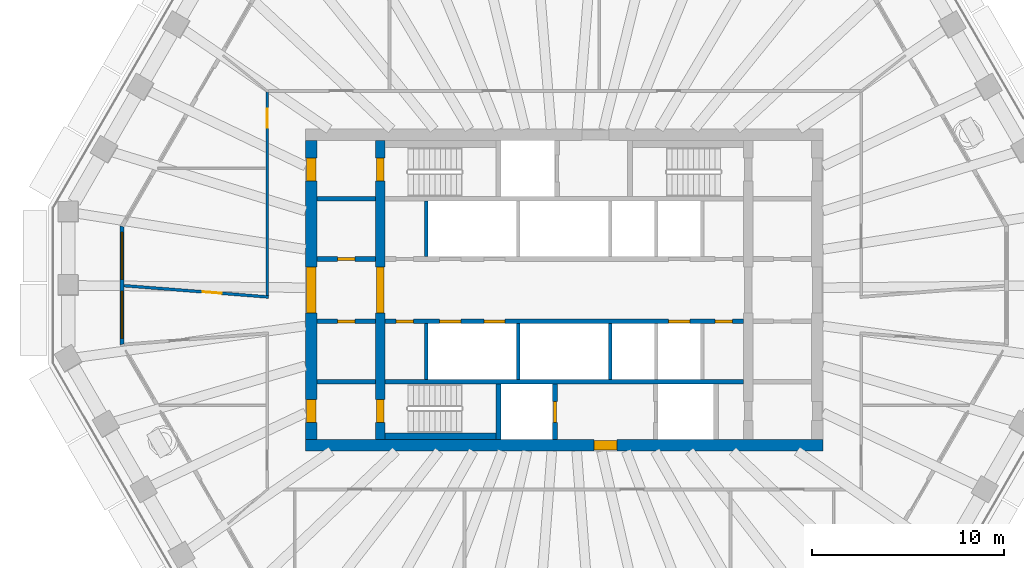
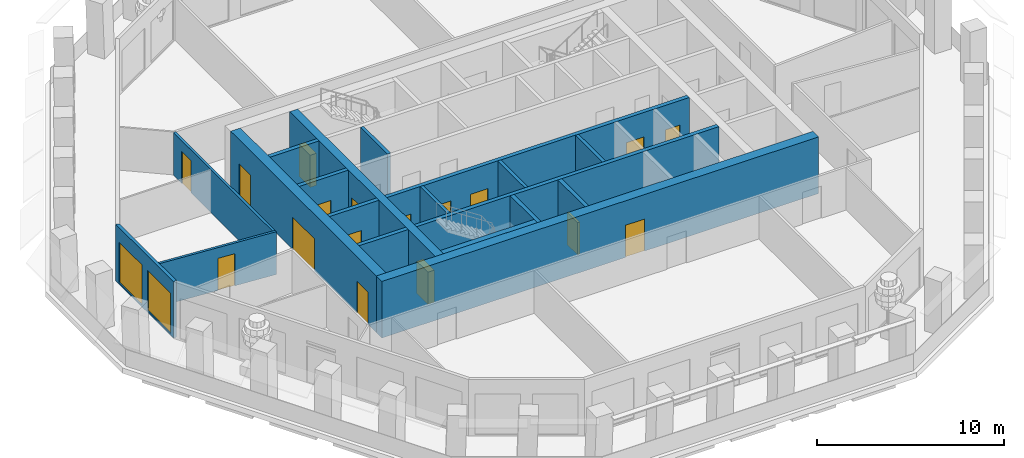
# One storey, part 4 of 12: 19 walls, 17 doors, 2 windows, 19 openings.
"""IFC4 building model written with IfcOpenShell, lengths in metres."""

from ifc_helpers import new_model, si_unit, direction, frame, frame_2d, origin, place, context, subcontext, project, spatial, polyline, rectangle, outline, extrude, material, layer, layer_set, type_object, element, fill, save


model = new_model("IFC4")

# Units and contexts
model_context = context("Model", 3, precision=1e-05, world=origin(), true_north=direction((0.0, 1.0)))
body_context = subcontext(model_context, "Body", "Model", "MODEL_VIEW")
ifc_project = project(units=[si_unit("LENGTHUNIT", "METRE"), si_unit("AREAUNIT", "SQUARE_METRE"), si_unit("VOLUMEUNIT", "CUBIC_METRE"), si_unit("PLANEANGLEUNIT", "RADIAN"), si_unit("MASSUNIT", "GRAM", prefix="KILO")], contexts=[model_context])

# Site, building, storey
site_placement = place(None, origin())
site = spatial("IfcSite", under=ifc_project, at=site_placement, CompositionType="ELEMENT")
building_placement = place(site_placement, origin())
building = spatial("IfcBuilding", under=site, at=building_placement, Name="Frailejon Research Tower", CompositionType="ELEMENT")
storey_placement = place(building_placement, frame((0.0, 0.0, 219.39990234375)))
storey = spatial("IfcBuildingStorey", under=building, at=storey_placement, Name="L47", CompositionType="ELEMENT", Elevation=219.39990234375)

# Wall, openings, doors
ifc_material_1 = material(Name="Concrete C60/75", Category="concrete")
ifc_layer_1 = layer(ifc_material_1, 0.5)
ifc_layer_set_1 = layer_set([ifc_layer_1], Name="Core shear wall 500 C60/75")
wall_type_1 = type_object("IfcWallType", Name="Core shear wall 500 C60/75", PredefinedType="SHEAR", material=ifc_layer_set_1)
wall_1_placement = place(storey_placement, frame((-9.60009765625, -7.800048828125, 0.0), z_axis=(0.0, 0.0, 1.0), x_axis=(0.0, 1.0, 0.0)))
wall_1 = element("IfcWall", 1, at=wall_1_placement, inside=storey, type_object=wall_type_1, Name="Core shear wall", PredefinedType="SHEAR", context=body_context, shape_type="SweptSolid", body=[
    extrude(rectangle(XDim=15.60009765625, YDim=0.5, at=frame_2d((7.800048828125, 0.0))), origin(), (0.0, 0.0, 1.0), 3.7001953125),
])
opening_1_placement = place(wall_1_placement, frame((6.60009765625, 0.0, 0.0)))
opening_1 = element("IfcOpeningElement", 2, at=opening_1_placement, cuts=wall_1, Name="Opening D2", PredefinedType="OPENING", context=body_context, shape_type="SweptSolid", body=[
    extrude(rectangle(XDim=2.39990234375, YDim=2.10009765625, at=frame_2d((1.199951171875, 1.050048828125))), frame((0.0, 0.260009765625, 0.0), z_axis=(0.0, -1.0, 0.0), x_axis=(1.0, 0.0, 0.0)), (0.0, 0.0, 1.0), 0.52001953125),
])
opening_2_placement = place(wall_1_placement, frame((13.5, 0.0, 0.0)))
opening_2 = element("IfcOpeningElement", 3, at=opening_2_placement, cuts=wall_1, Name="Opening D1", PredefinedType="OPENING", context=body_context, shape_type="SweptSolid", body=[
    extrude(rectangle(XDim=1.199951171875, YDim=2.10009765625, at=frame_2d((0.60009765625, 1.050048828125))), frame((0.0, 0.260009765625, 0.0), z_axis=(0.0, -1.0, 0.0), x_axis=(1.0, 0.0, 0.0)), (0.0, 0.0, 1.0), 0.52001953125),
])
opening_3_placement = place(wall_1_placement, frame((0.89990234375, 0.0, 0.0)))
opening_3 = element("IfcOpeningElement", 4, at=opening_3_placement, cuts=wall_1, Name="Opening D1", PredefinedType="OPENING", context=body_context, shape_type="SweptSolid", body=[
    extrude(rectangle(XDim=1.199951171875, YDim=2.10009765625, at=frame_2d((0.60009765625, 1.050048828125))), frame((0.0, 0.260009765625, 0.0), z_axis=(0.0, -1.0, 0.0), x_axis=(1.0, 0.0, 0.0)), (0.0, 0.0, 1.0), 0.52001953125),
])
ifc_material_2 = material(Name="Steel", Category="steel")
door_type_1 = type_object("IfcDoorType", Name="Lobby double door", OperationType="DOUBLE_DOOR_SINGLE_SWING", PredefinedType="DOOR", material=ifc_material_2)
door_1_placement = place(opening_1_placement, origin())
door_1 = element("IfcDoor", 5, at=door_1_placement, inside=storey, type_object=door_type_1, Name="Lobby door", OperationType="DOUBLE_DOOR_SINGLE_SWING", OverallHeight=2.10009765625, OverallWidth=2.39990234375, PredefinedType="DOOR", context=body_context, shape_type="SweptSolid", body=[
    extrude(rectangle(XDim=2.39990234375, YDim=2.10009765625, at=frame_2d((1.199951171875, 1.050048828125))), frame((0.0, 0.199951171875, 0.0), z_axis=(0.0, -1.0, 0.0), x_axis=(1.0, 0.0, 0.0)), (0.0, 0.0, 1.0), 0.39990234375),
])
fill(opening_1, door_1)
ifc_material_3 = material(Name="Steel", Category="steel")
door_type_2 = type_object("IfcDoorType", Name="Stair door", OperationType="SINGLE_SWING_LEFT", PredefinedType="DOOR", material=ifc_material_3)
door_2_placement = place(opening_2_placement, origin())
door_2 = element("IfcDoor", 6, at=door_2_placement, inside=storey, type_object=door_type_2, Name="Stair door ST1", OperationType="SINGLE_SWING_RIGHT", OverallHeight=2.10009765625, OverallWidth=1.199951171875, PredefinedType="DOOR", context=body_context, shape_type="SweptSolid", body=[
    extrude(rectangle(XDim=1.199951171875, YDim=2.10009765625, at=frame_2d((0.60009765625, 1.050048828125))), frame((0.0, 0.199951171875, 0.0), z_axis=(0.0, -1.0, 0.0), x_axis=(1.0, 0.0, 0.0)), (0.0, 0.0, 1.0), 0.39990234375),
])
fill(opening_2, door_2)
door_3_placement = place(opening_3_placement, origin())
door_3 = element("IfcDoor", 7, at=door_3_placement, inside=storey, type_object=door_type_2, Name="Stair door ST2", OperationType="SINGLE_SWING_RIGHT", OverallHeight=2.10009765625, OverallWidth=1.199951171875, PredefinedType="DOOR", context=body_context, shape_type="SweptSolid", body=[
    extrude(rectangle(XDim=1.199951171875, YDim=2.10009765625, at=frame_2d((0.60009765625, 1.050048828125))), frame((0.0, 0.199951171875, 0.0), z_axis=(0.0, -1.0, 0.0), x_axis=(1.0, 0.0, 0.0)), (0.0, 0.0, 1.0), 0.39990234375),
])
fill(opening_3, door_3)

# Wall, opening, door
ifc_material_4 = material(Name="Concrete C60/75", Category="concrete")
ifc_layer_2 = layer(ifc_material_4, 0.60009765625)
ifc_layer_set_2 = layer_set([ifc_layer_2], Name="Core shear wall 600 C60/75")
wall_type_2 = type_object("IfcWallType", Name="Core shear wall 600 C60/75", PredefinedType="SHEAR", material=ifc_layer_set_2)
wall_2_placement = place(storey_placement, frame((-13.5, -8.10009765625, 0.0), z_axis=(0.0, 0.0, 1.0), x_axis=(1.0, 0.0, 0.0)))
wall_2 = element("IfcWall", 8, at=wall_2_placement, inside=storey, type_object=wall_type_2, Name="Core shear wall", PredefinedType="SHEAR", context=body_context, shape_type="SweptSolid", body=[
    extrude(rectangle(XDim=27.0, YDim=0.60009765625, at=frame_2d((13.5, 0.0))), origin(), (0.0, 0.0, 1.0), 3.7001953125),
])
opening_4_placement = place(wall_2_placement, frame((15.050048828125, 0.0, 0.0)))
opening_4 = element("IfcOpeningElement", 9, at=opening_4_placement, cuts=wall_2, Name="Opening D3", PredefinedType="OPENING", context=body_context, shape_type="SweptSolid", body=[
    extrude(rectangle(XDim=1.199951171875, YDim=2.10009765625, at=frame_2d((0.60009765625, 1.050048828125))), frame((0.0, 0.31005859375, 0.0), z_axis=(0.0, -1.0, 0.0), x_axis=(1.0, 0.0, 0.0)), (0.0, 0.0, 1.0), 0.6201171875),
])
ifc_material_5 = material(Name="Steel", Category="steel")
door_type_3 = type_object("IfcDoorType", Name="Firefighting lobby door", OperationType="SINGLE_SWING_LEFT", PredefinedType="DOOR", material=ifc_material_5)
door_4_placement = place(opening_4_placement, origin())
door_4 = element("IfcDoor", 10, at=door_4_placement, inside=storey, type_object=door_type_3, Name="Firefighting lobby door", OperationType="SINGLE_SWING_RIGHT", OverallHeight=2.10009765625, OverallWidth=1.199951171875, PredefinedType="DOOR", context=body_context, shape_type="SweptSolid", body=[
    extrude(rectangle(XDim=1.199951171875, YDim=2.10009765625, at=frame_2d((0.60009765625, 1.050048828125))), frame((0.0, 0.25, 0.0), z_axis=(0.0, -1.0, 0.0), x_axis=(1.0, 0.0, 0.0)), (0.0, 0.0, 1.0), 0.5),
])
fill(opening_4, door_4)

# Wall, openings, doors
wall_3_placement = place(storey_placement, frame((-13.199951171875, -7.800048828125, 0.0), z_axis=(0.0, 0.0, 1.0), x_axis=(0.0, 1.0, 0.0)))
wall_3 = element("IfcWall", 11, at=wall_3_placement, inside=storey, type_object=wall_type_2, Name="Core shear wall", PredefinedType="SHEAR", context=body_context, shape_type="SweptSolid", body=[
    extrude(rectangle(XDim=15.60009765625, YDim=0.60009765625, at=frame_2d((7.800048828125, 0.0))), origin(), (0.0, 0.0, 1.0), 3.7001953125),
])
opening_5_placement = place(wall_3_placement, frame((6.60009765625, 0.0, 0.0)))
opening_5 = element("IfcOpeningElement", 12, at=opening_5_placement, cuts=wall_3, Name="Opening D2", PredefinedType="OPENING", context=body_context, shape_type="SweptSolid", body=[
    extrude(rectangle(XDim=2.39990234375, YDim=2.10009765625, at=frame_2d((1.199951171875, 1.050048828125))), frame((0.0, 0.31005859375, 0.0), z_axis=(0.0, -1.0, 0.0), x_axis=(1.0, 0.0, 0.0)), (0.0, 0.0, 1.0), 0.6201171875),
])
opening_6_placement = place(wall_3_placement, frame((13.5, 0.0, 0.0)))
opening_6 = element("IfcOpeningElement", 13, at=opening_6_placement, cuts=wall_3, Name="Opening D7", PredefinedType="OPENING", context=body_context, shape_type="SweptSolid", body=[
    extrude(rectangle(XDim=1.199951171875, YDim=2.10009765625, at=frame_2d((0.60009765625, 1.050048828125))), frame((0.0, 0.31005859375, 0.0), z_axis=(0.0, -1.0, 0.0), x_axis=(1.0, 0.0, 0.0)), (0.0, 0.0, 1.0), 0.6201171875),
])
opening_7_placement = place(wall_3_placement, frame((0.89990234375, 0.0, 0.0)))
opening_7 = element("IfcOpeningElement", 14, at=opening_7_placement, cuts=wall_3, Name="Opening D7", PredefinedType="OPENING", context=body_context, shape_type="SweptSolid", body=[
    extrude(rectangle(XDim=1.199951171875, YDim=2.10009765625, at=frame_2d((0.60009765625, 1.050048828125))), frame((0.0, 0.31005859375, 0.0), z_axis=(0.0, -1.0, 0.0), x_axis=(1.0, 0.0, 0.0)), (0.0, 0.0, 1.0), 0.6201171875),
])
door_5_placement = place(opening_5_placement, origin())
door_5 = element("IfcDoor", 15, at=door_5_placement, inside=storey, type_object=door_type_1, Name="Lobby door", OperationType="DOUBLE_DOOR_SINGLE_SWING", OverallHeight=2.10009765625, OverallWidth=2.39990234375, PredefinedType="DOOR", context=body_context, shape_type="SweptSolid", body=[
    extrude(rectangle(XDim=2.39990234375, YDim=2.10009765625, at=frame_2d((1.199951171875, 1.050048828125))), frame((0.0, 0.25, 0.0), z_axis=(0.0, -1.0, 0.0), x_axis=(1.0, 0.0, 0.0)), (0.0, 0.0, 1.0), 0.5),
])
fill(opening_5, door_5)
ifc_material_6 = material(Name="Steel", Category="steel")
door_type_4 = type_object("IfcDoorType", Name="Stair exit door", OperationType="SINGLE_SWING_LEFT", PredefinedType="DOOR", material=ifc_material_6)
door_6_placement = place(opening_6_placement, origin())
door_6 = element("IfcDoor", 16, at=door_6_placement, inside=storey, type_object=door_type_4, Name="Stair exit door ST1", OperationType="SINGLE_SWING_LEFT", OverallHeight=2.10009765625, OverallWidth=1.199951171875, PredefinedType="DOOR", context=body_context, shape_type="SweptSolid", body=[
    extrude(rectangle(XDim=1.199951171875, YDim=2.10009765625, at=frame_2d((0.60009765625, 1.050048828125))), frame((0.0, 0.25, 0.0), z_axis=(0.0, -1.0, 0.0), x_axis=(1.0, 0.0, 0.0)), (0.0, 0.0, 1.0), 0.5),
])
fill(opening_6, door_6)
door_7_placement = place(opening_7_placement, origin())
door_7 = element("IfcDoor", 17, at=door_7_placement, inside=storey, type_object=door_type_4, Name="Stair exit door ST2", OperationType="SINGLE_SWING_LEFT", OverallHeight=2.10009765625, OverallWidth=1.199951171875, PredefinedType="DOOR", context=body_context, shape_type="SweptSolid", body=[
    extrude(rectangle(XDim=1.199951171875, YDim=2.10009765625, at=frame_2d((0.60009765625, 1.050048828125))), frame((0.0, 0.25, 0.0), z_axis=(0.0, -1.0, 0.0), x_axis=(1.0, 0.0, 0.0)), (0.0, 0.0, 1.0), 0.5),
])
fill(opening_7, door_7)

# Wall, opening, door
ifc_material_7 = material(Name="Gypsum board and masonry partition", Category="masonry")
ifc_layer_3 = layer(ifc_material_7, 0.14990234375)
ifc_layer_set_3 = layer_set([ifc_layer_3], Name="Corridor wall EI 60, gypsum on steel studs 150")
wall_type_3 = type_object("IfcWallType", Name="Corridor wall EI 60, gypsum on steel studs 150", PredefinedType="PARTITIONING", material=ifc_layer_set_3)
wall_4_placement = place(storey_placement, frame((-15.5, -0.275146484375, 0.0), z_axis=(0.0, 0.0, 1.0), x_axis=(0.0, 1.0, 0.0)))
wall_4 = element("IfcWall", 18, at=wall_4_placement, inside=storey, type_object=wall_type_3, Name="T:IW:L47:005", PredefinedType="PARTITIONING", context=body_context, shape_type="SweptSolid", body=[
    extrude(rectangle(XDim=10.625244140625, YDim=0.14990234375, at=frame_2d((5.3125, 0.0))), origin(), (0.0, 0.0, 1.0), 2.800048828125),
])
opening_8_placement = place(wall_4_placement, frame((8.740966796875, 0.0, 0.0)))
opening_8 = element("IfcOpeningElement", 19, at=opening_8_placement, cuts=wall_4, Name="Opening D1966", PredefinedType="OPENING", context=body_context, shape_type="SweptSolid", body=[
    extrude(rectangle(XDim=1.0, YDim=2.10009765625, at=frame_2d((0.5, 1.050048828125))), frame((0.0, 0.0849609375, 0.0), z_axis=(0.0, -1.0, 0.0), x_axis=(1.0, 0.0, 0.0)), (0.0, 0.0, 1.0), 0.169921875),
])
ifc_material_8 = material(Name="Timber door leaf", Category="wood")
door_type_5 = type_object("IfcDoorType", Name="Door single leaf, timber, steel frame 1000", OperationType="NOTDEFINED", PredefinedType="DOOR", material=ifc_material_8)
door_8_placement = place(opening_8_placement, origin())
door_8 = element("IfcDoor", 20, at=door_8_placement, inside=storey, type_object=door_type_5, Name="D1966", OperationType="SINGLE_SWING_RIGHT", OverallHeight=2.10009765625, OverallWidth=1.0, PredefinedType="DOOR", context=body_context, shape_type="SweptSolid", body=[
    extrude(rectangle(XDim=1.0, YDim=2.10009765625, at=frame_2d((0.5, 1.050048828125))), frame((0.0, 0.02490234375, 0.0), z_axis=(0.0, -1.0, 0.0), x_axis=(1.0, 0.0, 0.0)), (0.0, 0.0, 1.0), 0.050048828125),
])
fill(opening_8, door_8)

wall_5_placement = place(storey_placement, frame((-22.9794921875, 0.235595703125, 0.0), z_axis=(0.0, 0.0, 1.0), x_axis=(0.996945465272, -0.078100827607, 0.0)))
wall_5 = element("IfcWall", 21, at=wall_5_placement, inside=storey, type_object=wall_type_3, Name="T:IW:L47:007", PredefinedType="PARTITIONING", context=body_context, shape_type="SweptSolid", body=[
    extrude(rectangle(XDim=7.577392578125, YDim=0.14990234375, at=frame_2d((3.78857421875, 0.0))), origin(), (0.0, 0.0, 1.0), 2.800048828125),
])
opening_9_placement = place(wall_5_placement, frame((4.12158203125, 0.0, 0.0)))
opening_9 = element("IfcOpeningElement", 22, at=opening_9_placement, cuts=wall_5, Name="Opening D1967", PredefinedType="OPENING", context=body_context, shape_type="SweptSolid", body=[
    extrude(rectangle(XDim=1.0, YDim=2.10009765625, at=frame_2d((0.5, 1.050048828125))), frame((0.0, 0.0849609375, 0.0), z_axis=(0.0, -1.0, 0.0), x_axis=(1.0, 0.0, 0.0)), (0.0, 0.0, 1.0), 0.169921875),
])
door_9_placement = place(opening_9_placement, origin())
door_9 = element("IfcDoor", 23, at=door_9_placement, inside=storey, type_object=door_type_5, Name="D1967", OperationType="SINGLE_SWING_RIGHT", OverallHeight=2.10009765625, OverallWidth=1.0, PredefinedType="DOOR", context=body_context, shape_type="SweptSolid", body=[
    extrude(rectangle(XDim=1.0, YDim=2.10009765625, at=frame_2d((0.5, 1.050048828125))), frame((0.0, 0.02490234375, 0.0), z_axis=(0.0, -1.0, 0.0), x_axis=(1.0, 0.0, 0.0)), (0.0, 0.0, 1.0), 0.050048828125),
])
fill(opening_9, door_9)

# Walls
ifc_material_9 = material(Name="Concrete C60/75", Category="concrete")
ifc_layer_4 = layer(ifc_material_9, 0.199951171875)
ifc_layer_set_4 = layer_set([ifc_layer_4], Name="Shaft wall 200 C60/75")
wall_type_4 = type_object("IfcWallType", Name="Shaft wall 200 C60/75", PredefinedType="SOLIDWALL", material=ifc_layer_set_4)
for number, where, z_axis, x_axis, name in (
    (24, (-7.199951171875, 1.75, 0.0), (0.0, 0.0, 1.0), (0.0, 1.0, 0.0), "Shaft wall"),
    (25, (-7.199951171875, -4.64990234375, 0.0), (0.0, 0.0, 1.0), (0.0, 1.0, 0.0), "Shaft wall"),
    (26, (-2.39990234375, -4.64990234375, 0.0), (0.0, 0.0, 1.0), (0.0, 1.0, 0.0), "Shaft wall"),
    (27, (2.39990234375, -4.64990234375, 0.0), (0.0, 0.0, 1.0), (0.0, 1.0, 0.0), "Shaft wall"),
):
    element("IfcWall", number, at=place(storey_placement, frame(where, z_axis=z_axis, x_axis=x_axis)), inside=storey, type_object=wall_type_4, Name=name, PredefinedType="SOLIDWALL", context=body_context, shape_type="SweptSolid", body=[
        extrude(rectangle(XDim=2.89990234375, YDim=0.199951171875, at=frame_2d((1.449951171875, 0.0))), origin(), (0.0, 0.0, 1.0), 3.7001953125),
    ])

# Wall, opening, door
ifc_material_10 = material(Name="Concrete C60/75", Category="concrete")
ifc_layer_5 = layer(ifc_material_10, 0.25)
ifc_layer_set_5 = layer_set([ifc_layer_5], Name="Shaft wall 250 C60/75")
wall_type_5 = type_object("IfcWallType", Name="Shaft wall 250 C60/75", PredefinedType="SOLIDWALL", material=ifc_layer_set_5)
wall_6_placement = place(storey_placement, frame((-12.89990234375, 1.625, 0.0), z_axis=(0.0, 0.0, 1.0), x_axis=(1.0, 0.0, 0.0)))
wall_6 = element("IfcWall", 28, at=wall_6_placement, inside=storey, type_object=wall_type_5, Name="Shaft wall", PredefinedType="SOLIDWALL", context=body_context, shape_type="SweptSolid", body=[
    extrude(rectangle(XDim=3.0498046875, YDim=0.25, at=frame_2d((1.52490234375, 0.0))), origin(), (0.0, 0.0, 1.0), 3.7001953125),
])
opening_10_placement = place(wall_6_placement, frame((1.074951171875, 0.0, 0.0)))
opening_10 = element("IfcOpeningElement", 29, at=opening_10_placement, cuts=wall_6, Name="Opening D8", PredefinedType="OPENING", context=body_context, shape_type="SweptSolid", body=[
    extrude(rectangle(XDim=0.89990234375, YDim=2.10009765625, at=frame_2d((0.449951171875, 1.050048828125))), frame((0.0, 0.135009765625, 0.0), z_axis=(0.0, -1.0, 0.0), x_axis=(1.0, 0.0, 0.0)), (0.0, 0.0, 1.0), 0.27001953125),
])
ifc_material_11 = material(Name="Steel", Category="steel")
door_type_6 = type_object("IfcDoorType", Name="Core room door", OperationType="SINGLE_SWING_LEFT", PredefinedType="DOOR", material=ifc_material_11)
door_10_placement = place(opening_10_placement, origin())
door_10 = element("IfcDoor", 30, at=door_10_placement, inside=storey, type_object=door_type_6, Name="Room door", OperationType="SINGLE_SWING_RIGHT", OverallHeight=2.10009765625, OverallWidth=0.89990234375, PredefinedType="DOOR", context=body_context, shape_type="SweptSolid", body=[
    extrude(rectangle(XDim=0.89990234375, YDim=2.10009765625, at=frame_2d((0.449951171875, 1.050048828125))), frame((0.0, 0.074951171875, 0.0), z_axis=(0.0, -1.0, 0.0), x_axis=(1.0, 0.0, 0.0)), (0.0, 0.0, 1.0), 0.14990234375),
])
fill(opening_10, door_10)

# Wall
wall_7_placement = place(storey_placement, frame((-12.89990234375, 4.77490234375, 0.0), z_axis=(0.0, 0.0, 1.0), x_axis=(1.0, 0.0, 0.0)))
element("IfcWall", 31, at=wall_7_placement, inside=storey, type_object=wall_type_5, Name="Shaft wall", PredefinedType="SOLIDWALL", context=body_context, shape_type="SweptSolid", body=[
    extrude(rectangle(XDim=3.0498046875, YDim=0.25, at=frame_2d((1.52490234375, 0.0))), origin(), (0.0, 0.0, 1.0), 3.7001953125),
])

# Wall, opening, door
wall_8_placement = place(storey_placement, frame((-12.89990234375, -1.625, 0.0), z_axis=(0.0, 0.0, 1.0), x_axis=(1.0, 0.0, 0.0)))
wall_8 = element("IfcWall", 32, at=wall_8_placement, inside=storey, type_object=wall_type_5, Name="Shaft wall", PredefinedType="SOLIDWALL", context=body_context, shape_type="SweptSolid", body=[
    extrude(rectangle(XDim=3.0498046875, YDim=0.25, at=frame_2d((1.52490234375, 0.0))), origin(), (0.0, 0.0, 1.0), 3.7001953125),
])
opening_11_placement = place(wall_8_placement, frame((1.074951171875, 0.0, 0.0)))
opening_11 = element("IfcOpeningElement", 33, at=opening_11_placement, cuts=wall_8, Name="Opening D8", PredefinedType="OPENING", context=body_context, shape_type="SweptSolid", body=[
    extrude(rectangle(XDim=0.89990234375, YDim=2.10009765625, at=frame_2d((0.449951171875, 1.050048828125))), frame((0.0, 0.135009765625, 0.0), z_axis=(0.0, -1.0, 0.0), x_axis=(1.0, 0.0, 0.0)), (0.0, 0.0, 1.0), 0.27001953125),
])
door_11_placement = place(opening_11_placement, origin())
door_11 = element("IfcDoor", 34, at=door_11_placement, inside=storey, type_object=door_type_6, Name="Room door", OperationType="SINGLE_SWING_RIGHT", OverallHeight=2.10009765625, OverallWidth=0.89990234375, PredefinedType="DOOR", context=body_context, shape_type="SweptSolid", body=[
    extrude(rectangle(XDim=0.89990234375, YDim=2.10009765625, at=frame_2d((0.449951171875, 1.050048828125))), frame((0.0, 0.074951171875, 0.0), z_axis=(0.0, -1.0, 0.0), x_axis=(1.0, 0.0, 0.0)), (0.0, 0.0, 1.0), 0.14990234375),
])
fill(opening_11, door_11)

# Wall, openings, doors
wall_9_placement = place(storey_placement, frame((-9.35009765625, -1.625, 0.0), z_axis=(0.0, 0.0, 1.0), x_axis=(1.0, 0.0, 0.0)))
wall_9 = element("IfcWall", 35, at=wall_9_placement, inside=storey, type_object=wall_type_5, Name="Shaft wall", PredefinedType="SOLIDWALL", context=body_context, shape_type="SweptSolid", body=[
    extrude(rectangle(XDim=18.7001953125, YDim=0.25, at=frame_2d((9.35009765625, 0.0))), origin(), (0.0, 0.0, 1.0), 3.7001953125),
])
opening_12_placement = place(wall_9_placement, frame((2.85009765625, 0.0, 0.0)))
opening_12 = element("IfcOpeningElement", 36, at=opening_12_placement, cuts=wall_9, Name="Opening LD", PredefinedType="OPENING", context=body_context, shape_type="SweptSolid", body=[
    extrude(rectangle(XDim=1.10009765625, YDim=2.10009765625, at=frame_2d((0.550048828125, 1.050048828125))), frame((0.0, 0.135009765625, 0.0), z_axis=(0.0, -1.0, 0.0), x_axis=(1.0, 0.0, 0.0)), (0.0, 0.0, 1.0), 0.27001953125),
])
opening_13_placement = place(wall_9_placement, frame((5.14990234375, 0.0, 0.0)))
opening_13 = element("IfcOpeningElement", 37, at=opening_13_placement, cuts=wall_9, Name="Opening LD", PredefinedType="OPENING", context=body_context, shape_type="SweptSolid", body=[
    extrude(rectangle(XDim=1.10009765625, YDim=2.10009765625, at=frame_2d((0.550048828125, 1.050048828125))), frame((0.0, 0.135009765625, 0.0), z_axis=(0.0, -1.0, 0.0), x_axis=(1.0, 0.0, 0.0)), (0.0, 0.0, 1.0), 0.27001953125),
])
opening_14_placement = place(wall_9_placement, frame((14.800048828125, 0.0, 0.0)))
opening_14 = element("IfcOpeningElement", 38, at=opening_14_placement, cuts=wall_9, Name="Opening LD", PredefinedType="OPENING", context=body_context, shape_type="SweptSolid", body=[
    extrude(rectangle(XDim=1.10009765625, YDim=2.10009765625, at=frame_2d((0.550048828125, 1.050048828125))), frame((0.0, 0.135009765625, 0.0), z_axis=(0.0, -1.0, 0.0), x_axis=(1.0, 0.0, 0.0)), (0.0, 0.0, 1.0), 0.27001953125),
])
opening_15_placement = place(wall_9_placement, frame((0.574951171875, 0.0, 0.0)))
opening_15 = element("IfcOpeningElement", 39, at=opening_15_placement, cuts=wall_9, Name="Opening D8", PredefinedType="OPENING", context=body_context, shape_type="SweptSolid", body=[
    extrude(rectangle(XDim=0.89990234375, YDim=2.10009765625, at=frame_2d((0.449951171875, 1.050048828125))), frame((0.0, 0.135009765625, 0.0), z_axis=(0.0, -1.0, 0.0), x_axis=(1.0, 0.0, 0.0)), (0.0, 0.0, 1.0), 0.27001953125),
])
opening_16_placement = place(wall_9_placement, frame((17.22509765625, 0.0, 0.0)))
opening_16 = element("IfcOpeningElement", 40, at=opening_16_placement, cuts=wall_9, Name="Opening D8", PredefinedType="OPENING", context=body_context, shape_type="SweptSolid", body=[
    extrude(rectangle(XDim=0.89990234375, YDim=2.10009765625, at=frame_2d((0.449951171875, 1.050048828125))), frame((0.0, 0.135009765625, 0.0), z_axis=(0.0, -1.0, 0.0), x_axis=(1.0, 0.0, 0.0)), (0.0, 0.0, 1.0), 0.27001953125),
])
door_12_placement = place(opening_15_placement, origin())
door_12 = element("IfcDoor", 41, at=door_12_placement, inside=storey, type_object=door_type_6, Name="Room door", OperationType="SINGLE_SWING_LEFT", OverallHeight=2.10009765625, OverallWidth=0.89990234375, PredefinedType="DOOR", context=body_context, shape_type="SweptSolid", body=[
    extrude(rectangle(XDim=0.89990234375, YDim=2.10009765625, at=frame_2d((0.449951171875, 1.050048828125))), frame((0.0, 0.074951171875, 0.0), z_axis=(0.0, -1.0, 0.0), x_axis=(1.0, 0.0, 0.0)), (0.0, 0.0, 1.0), 0.14990234375),
])
fill(opening_15, door_12)
door_13_placement = place(opening_16_placement, origin())
door_13 = element("IfcDoor", 42, at=door_13_placement, inside=storey, type_object=door_type_6, Name="Room door", OperationType="SINGLE_SWING_RIGHT", OverallHeight=2.10009765625, OverallWidth=0.89990234375, PredefinedType="DOOR", context=body_context, shape_type="SweptSolid", body=[
    extrude(rectangle(XDim=0.89990234375, YDim=2.10009765625, at=frame_2d((0.449951171875, 1.050048828125))), frame((0.0, 0.074951171875, 0.0), z_axis=(0.0, -1.0, 0.0), x_axis=(1.0, 0.0, 0.0)), (0.0, 0.0, 1.0), 0.14990234375),
])
fill(opening_16, door_13)
ifc_material_12 = material(Name="Steel", Category="steel")
door_type_7 = type_object("IfcDoorType", Name="Lift landing door", OperationType="DOUBLE_DOOR_SLIDING", PredefinedType="DOOR", material=ifc_material_12)
door_14_placement = place(opening_12_placement, origin())
door_14 = element("IfcDoor", 43, at=door_14_placement, inside=storey, type_object=door_type_7, Name="Lift landing door", OperationType="DOUBLE_DOOR_SLIDING", OverallHeight=2.10009765625, OverallWidth=1.10009765625, PredefinedType="DOOR", context=body_context, shape_type="SweptSolid", body=[
    extrude(rectangle(XDim=1.10009765625, YDim=2.10009765625, at=frame_2d((0.550048828125, 1.050048828125))), frame((0.0, 0.074951171875, 0.0), z_axis=(0.0, -1.0, 0.0), x_axis=(1.0, 0.0, 0.0)), (0.0, 0.0, 1.0), 0.14990234375),
])
fill(opening_12, door_14)
door_15_placement = place(opening_13_placement, origin())
door_15 = element("IfcDoor", 44, at=door_15_placement, inside=storey, type_object=door_type_7, Name="Lift landing door", OperationType="DOUBLE_DOOR_SLIDING", OverallHeight=2.10009765625, OverallWidth=1.10009765625, PredefinedType="DOOR", context=body_context, shape_type="SweptSolid", body=[
    extrude(rectangle(XDim=1.10009765625, YDim=2.10009765625, at=frame_2d((0.550048828125, 1.050048828125))), frame((0.0, 0.074951171875, 0.0), z_axis=(0.0, -1.0, 0.0), x_axis=(1.0, 0.0, 0.0)), (0.0, 0.0, 1.0), 0.14990234375),
])
fill(opening_13, door_15)
door_16_placement = place(opening_14_placement, origin())
door_16 = element("IfcDoor", 45, at=door_16_placement, inside=storey, type_object=door_type_7, Name="Lift landing door", OperationType="DOUBLE_DOOR_SLIDING", OverallHeight=2.10009765625, OverallWidth=1.10009765625, PredefinedType="DOOR", context=body_context, shape_type="SweptSolid", body=[
    extrude(rectangle(XDim=1.10009765625, YDim=2.10009765625, at=frame_2d((0.550048828125, 1.050048828125))), frame((0.0, 0.074951171875, 0.0), z_axis=(0.0, -1.0, 0.0), x_axis=(1.0, 0.0, 0.0)), (0.0, 0.0, 1.0), 0.14990234375),
])
fill(opening_14, door_16)

# Walls
wall_10_placement = place(storey_placement, frame((-12.89990234375, -4.77490234375, 0.0), z_axis=(0.0, 0.0, 1.0), x_axis=(1.0, 0.0, 0.0)))
element("IfcWall", 46, at=wall_10_placement, inside=storey, type_object=wall_type_5, Name="Shaft wall", PredefinedType="SOLIDWALL", context=body_context, shape_type="SweptSolid", body=[
    extrude(rectangle(XDim=3.0498046875, YDim=0.25, at=frame_2d((1.52490234375, 0.0))), origin(), (0.0, 0.0, 1.0), 3.7001953125),
])
wall_11_placement = place(storey_placement, frame((-9.35009765625, -4.77490234375, 0.0), z_axis=(0.0, 0.0, 1.0), x_axis=(1.0, 0.0, 0.0)))
element("IfcWall", 47, at=wall_11_placement, inside=storey, type_object=wall_type_5, Name="Shaft wall", PredefinedType="SOLIDWALL", context=body_context, shape_type="SweptSolid", body=[
    extrude(rectangle(XDim=18.7001953125, YDim=0.25, at=frame_2d((9.35009765625, 0.0))), origin(), (0.0, 0.0, 1.0), 3.7001953125),
])
wall_12_placement = place(storey_placement, frame((-3.425048828125, -7.800048828125, 0.0), z_axis=(0.0, 0.0, 1.0), x_axis=(0.0, 1.0, 0.0)))
element("IfcWall", 48, at=wall_12_placement, inside=storey, type_object=wall_type_5, Name="Shaft wall", PredefinedType="SOLIDWALL", context=body_context, shape_type="SweptSolid", body=[
    extrude(rectangle(XDim=2.900146484375, YDim=0.25, at=frame_2d((1.4501953125, 0.0))), origin(), (0.0, 0.0, 1.0), 3.7001953125),
])

# Wall, opening, door
wall_13_placement = place(storey_placement, frame((-0.47509765625, -7.800048828125, 0.0), z_axis=(0.0, 0.0, 1.0), x_axis=(0.0, 1.0, 0.0)))
wall_13 = element("IfcWall", 49, at=wall_13_placement, inside=storey, type_object=wall_type_5, Name="Shaft wall", PredefinedType="SOLIDWALL", context=body_context, shape_type="SweptSolid", body=[
    extrude(rectangle(XDim=2.900146484375, YDim=0.25, at=frame_2d((1.4501953125, 0.0))), origin(), (0.0, 0.0, 1.0), 3.7001953125),
])
opening_17_placement = place(wall_13_placement, frame((0.89990234375, 0.0, 0.0)))
opening_17 = element("IfcOpeningElement", 50, at=opening_17_placement, cuts=wall_13, Name="Opening LD", PredefinedType="OPENING", context=body_context, shape_type="SweptSolid", body=[
    extrude(rectangle(XDim=1.10009765625, YDim=2.10009765625, at=frame_2d((0.550048828125, 1.050048828125))), frame((0.0, 0.135009765625, 0.0), z_axis=(0.0, -1.0, 0.0), x_axis=(1.0, 0.0, 0.0)), (0.0, 0.0, 1.0), 0.27001953125),
])
door_17_placement = place(opening_17_placement, origin())
door_17 = element("IfcDoor", 51, at=door_17_placement, inside=storey, type_object=door_type_7, Name="Lift landing door", OperationType="DOUBLE_DOOR_SLIDING", OverallHeight=2.10009765625, OverallWidth=1.10009765625, PredefinedType="DOOR", context=body_context, shape_type="SweptSolid", body=[
    extrude(rectangle(XDim=1.10009765625, YDim=2.10009765625, at=frame_2d((0.550048828125, 1.050048828125))), frame((0.0, 0.074951171875, 0.0), z_axis=(0.0, -1.0, 0.0), x_axis=(1.0, 0.0, 0.0)), (0.0, 0.0, 1.0), 0.14990234375),
])
fill(opening_17, door_17)

# Wall
ifc_material_13 = material(Name="Concrete C60/75", Category="concrete")
ifc_layer_6 = layer(ifc_material_13, 0.35009765625)
ifc_layer_set_6 = layer_set([ifc_layer_6], Name="Shaft wall 350 C60/75")
wall_type_6 = type_object("IfcWallType", Name="Shaft wall 350 C60/75", PredefinedType="SOLIDWALL", material=ifc_layer_set_6)
wall_14_placement = place(storey_placement, frame((-9.35009765625, -7.625, 0.0), z_axis=(0.0, 0.0, 1.0), x_axis=(1.0, 0.0, 0.0)))
element("IfcWall", 52, at=wall_14_placement, inside=storey, type_object=wall_type_6, Name="Shaft wall", PredefinedType="SOLIDWALL", context=body_context, shape_type="SweptSolid", body=[
    extrude(rectangle(XDim=5.800048828125, YDim=0.35009765625, at=frame_2d((2.89990234375, 0.0))), origin(), (0.0, 0.0, 1.0), 3.7001953125),
])

# Wall, openings, windows
ifc_material_14 = material(Name="Concrete C40/50 precast window wall panel", Category="concrete")
ifc_layer_7 = layer(ifc_material_14, 0.199951171875)
ifc_layer_set_7 = layer_set([ifc_layer_7], Name="Window wall 200")
wall_type_7 = type_object("IfcWallType", Name="Window wall 200", PredefinedType="SOLIDWALL", material=ifc_layer_set_7)
wall_15_placement = place(storey_placement, frame((-23.07958984375, 3.327880859375, 0.0), z_axis=(0.0, 0.0, 1.0), x_axis=(0.0, -1.0, 0.0)))
wall_15 = element("IfcWall", 53, at=wall_15_placement, inside=storey, type_object=wall_type_7, Name="Exterior wall L47", PredefinedType="SOLIDWALL", context=body_context, shape_type="SweptSolid", body=[
    extrude(outline(polyline([(-0.02685546875, -0.10009765625), (1.007568359375, -0.10009765625), (2.0419921875, -0.10009765625), (3.07666015625, -0.10009765625), (4.111083984375, -0.10009765625), (5.1455078125, -0.10009765625), (6.179931640625, -0.10009765625), (6.126220703125, 0.10009765625), (5.109619140625, 0.10009765625), (4.093017578125, 0.10009765625), (3.07666015625, 0.10009765625), (2.06005859375, 0.10009765625), (1.04345703125, 0.10009765625), (0.02685546875, 0.10009765625), (-0.02685546875, -0.10009765625)])), origin(), (0.0, 0.0, 1.0), 3.7001953125),
])
opening_18_placement = place(wall_15_placement, frame((0.313232421875, 0.0, 0.10009765625)))
opening_18 = element("IfcOpeningElement", 54, at=opening_18_placement, cuts=wall_15, Name="Opening W17", PredefinedType="OPENING", context=body_context, shape_type="SweptSolid", body=[
    extrude(rectangle(XDim=2.449951171875, YDim=2.64990234375, at=frame_2d((1.22509765625, 1.324951171875))), frame((0.0, 0.10986328125, 0.0), z_axis=(0.0, -1.0, 0.0), x_axis=(1.0, 0.0, 0.0)), (0.0, 0.0, 1.0), 0.219970703125),
])
opening_19_placement = place(wall_15_placement, frame((3.3896484375, 0.0, 0.10009765625)))
opening_19 = element("IfcOpeningElement", 55, at=opening_19_placement, cuts=wall_15, Name="Opening W17", PredefinedType="OPENING", context=body_context, shape_type="SweptSolid", body=[
    extrude(rectangle(XDim=2.449951171875, YDim=2.64990234375, at=frame_2d((1.22509765625, 1.324951171875))), frame((0.0, 0.10986328125, 0.0), z_axis=(0.0, -1.0, 0.0), x_axis=(1.0, 0.0, 0.0)), (0.0, 0.0, 1.0), 0.219970703125),
])
ifc_material_15 = material(Name="Aluminium framed double glazing", Category="aluminium")
window_type = type_object("IfcWindowType", Name="Window 2450x2650", PartitioningType="SINGLE_PANEL", PredefinedType="WINDOW", material=ifc_material_15)
window_1_placement = place(opening_18_placement, origin())
window_1 = element("IfcWindow", 56, at=window_1_placement, inside=storey, type_object=window_type, Name="Window L47", OverallHeight=2.64990234375, OverallWidth=2.449951171875, PartitioningType="SINGLE_PANEL", PredefinedType="WINDOW", context=body_context, shape_type="SweptSolid", body=[
    extrude(rectangle(XDim=2.449951171875, YDim=2.64990234375, at=frame_2d((1.22509765625, 1.324951171875))), frame((0.0, 0.030029296875, 0.0), z_axis=(0.0, -1.0, 0.0), x_axis=(1.0, 0.0, 0.0)), (0.0, 0.0, 1.0), 0.06005859375),
])
fill(opening_18, window_1)
window_2_placement = place(opening_19_placement, origin())
window_2 = element("IfcWindow", 57, at=window_2_placement, inside=storey, type_object=window_type, Name="Window L47", OverallHeight=2.64990234375, OverallWidth=2.449951171875, PartitioningType="SINGLE_PANEL", PredefinedType="WINDOW", context=body_context, shape_type="SweptSolid", body=[
    extrude(rectangle(XDim=2.449951171875, YDim=2.64990234375, at=frame_2d((1.22509765625, 1.324951171875))), frame((0.0, 0.030029296875, 0.0), z_axis=(0.0, -1.0, 0.0), x_axis=(1.0, 0.0, 0.0)), (0.0, 0.0, 1.0), 0.06005859375),
])
fill(opening_19, window_2)

save(model, "model.ifc")
